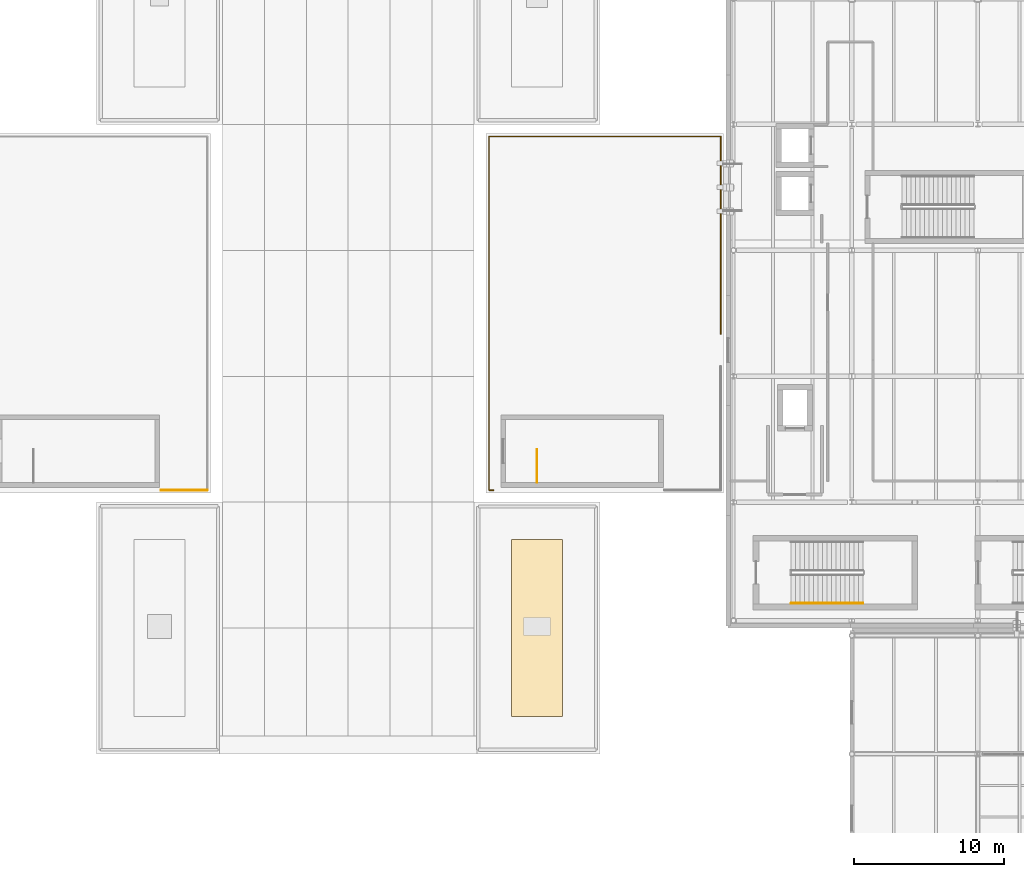
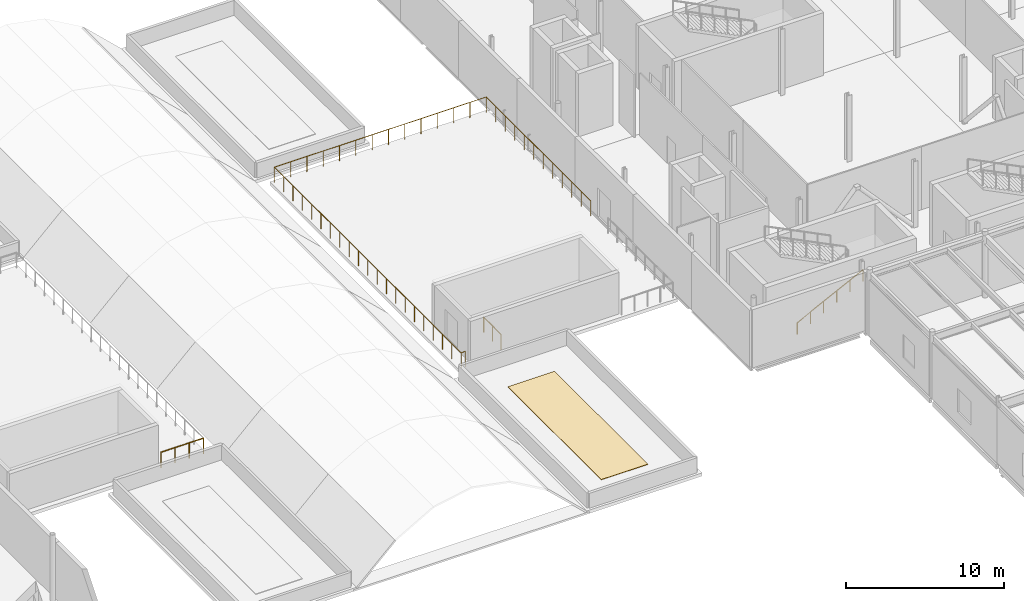
# One storey, part 83 of 91: 4 railings, 1 covering.
"""IFC4 building model written with IfcOpenShell, lengths in metres."""

from ifc_helpers import new_model, si_unit, direction, frame, origin, origin_2d, place, context, subcontext, project, spatial, polyline, circle, outline, extrude, material, layer, layer_set, type_object, element, save


model = new_model("IFC4")

# Units and contexts
model_context = context("Model", 3, precision=1e-05, world=origin(), true_north=direction((0.0, 1.0)))
body_context = subcontext(model_context, "Body", "Model", "MODEL_VIEW")
ifc_project = project(units=[si_unit("LENGTHUNIT", "METRE"), si_unit("AREAUNIT", "SQUARE_METRE"), si_unit("VOLUMEUNIT", "CUBIC_METRE"), si_unit("PLANEANGLEUNIT", "RADIAN"), si_unit("MASSUNIT", "GRAM", prefix="KILO"), si_unit("THERMODYNAMICTEMPERATUREUNIT", "KELVIN")], contexts=[model_context])

# Site, building, storey
site_placement = place(None, origin())
site = spatial("IfcSite", under=ifc_project, at=site_placement, CompositionType="ELEMENT")
building_placement = place(site_placement, origin())
building = spatial("IfcBuilding", under=site, at=building_placement, Name="Lustrewick Department Store", CompositionType="ELEMENT")
storey_placement = place(building_placement, frame((0.0, 0.0, 21.60009765625)))
storey = spatial("IfcBuildingStorey", under=building, at=storey_placement, Name="L05", CompositionType="ELEMENT", Elevation=21.60009765625)

# Covering
ifc_material_1 = material(Name="Single-ply TPO insulated roofing membrane", Category="plastic")
ifc_layer = layer(ifc_material_1, 0.034912109375, Name="Single-ply TPO insulated roofing membrane")
ifc_layer_set = layer_set([ifc_layer], Name="Single-ply TPO insulated roofing membrane")
covering_type = type_object("IfcCoveringType", Name="COV-ROOF", PredefinedType="ROOFING", material=ifc_layer_set)
covering_placement = place(storey_placement, origin())
element("IfcCovering", 1, at=covering_placement, inside=storey, type_object=covering_type, Name="L05 TPO Roof Membrane 04", PredefinedType="ROOFING", context=body_context, shape_type="SweptSolid", body=[
    extrude(outline(polyline([(98.300048828125, 56.300048828125), (94.89990234375, 56.300048828125), (94.89990234375, 44.5), (98.300048828125, 44.5), (98.300048828125, 56.300048828125)])), origin(), (0.0, 0.0, 1.0), 0.034912109375),
])

# Railings
ifc_material_2 = material(Name="Laminated glass and anodized aluminium guardrail", Category="aluminium")
railing_type_1 = type_object("IfcRailingType", Name="RL-EXT", PredefinedType="GUARDRAIL", material=ifc_material_2)
railing_1_placement = place(storey_placement, frame((93.699951171875, 59.60009765625, 0.0)))
element("IfcRailing", 2, at=railing_1_placement, inside=storey, type_object=railing_type_1, Name="L05 Terrace Perimeter Guardrail 0004", PredefinedType="GUARDRAIL", context=body_context, shape_type="SweptSolid", body=[
    extrude(circle(Radius=0.02392578125, at=origin_2d()), frame((0.0, 0.0, 1.17578125), z_axis=(-1.0, 0.0, 0.0), x_axis=(0.0, -1.0, 0.0)), (0.0, 0.0, 1.0), 0.300048828125),
    extrude(circle(Radius=0.02392578125, at=origin_2d()), frame((-0.300048828125, 0.0, 1.17578125), z_axis=(0.0, 1.0, 0.0), x_axis=(-1.0, 0.0, 0.0)), (0.0, 0.0, 1.0), 23.599853515625),
    extrude(circle(Radius=0.02392578125, at=origin_2d()), frame((-0.300048828125, 23.599853515625, 1.17578125), z_axis=(1.0, 0.0, 0.0), x_axis=(0.0, 1.0, 0.0)), (0.0, 0.0, 1.0), 15.4501953125),
    extrude(circle(Radius=0.02392578125, at=origin_2d()), frame((15.150146484375, 23.599853515625, 1.17578125), z_axis=(0.0, -1.0, 0.0), x_axis=(1.0, 0.0, 0.0)), (0.0, 0.0, 1.0), 13.185546875),
    extrude(circle(Radius=0.02099609375, at=origin_2d()), origin(), (0.0, 0.0, 1.0), 1.15185546875),
    extrude(circle(Radius=0.02099609375, at=origin_2d()), frame((-0.300048828125, 0.0, 0.0)), (0.0, 0.0, 1.0), 1.15185546875),
    extrude(circle(Radius=0.02099609375, at=origin_2d()), frame((-0.300048828125, 1.179931640625, 0.0)), (0.0, 0.0, 1.0), 1.15185546875),
    extrude(circle(Radius=0.02099609375, at=origin_2d()), frame((-0.300048828125, 2.35986328125, 0.0)), (0.0, 0.0, 1.0), 1.15185546875),
    extrude(circle(Radius=0.02099609375, at=origin_2d()), frame((-0.300048828125, 3.5400390625, 0.0)), (0.0, 0.0, 1.0), 1.15185546875),
    extrude(circle(Radius=0.02099609375, at=origin_2d()), frame((-0.300048828125, 4.719970703125, 0.0)), (0.0, 0.0, 1.0), 1.15185546875),
    extrude(circle(Radius=0.02099609375, at=origin_2d()), frame((-0.300048828125, 5.89990234375, 0.0)), (0.0, 0.0, 1.0), 1.15185546875),
    extrude(circle(Radius=0.02099609375, at=origin_2d()), frame((-0.300048828125, 7.080078125, 0.0)), (0.0, 0.0, 1.0), 1.15185546875),
    extrude(circle(Radius=0.02099609375, at=origin_2d()), frame((-0.300048828125, 8.260009765625, 0.0)), (0.0, 0.0, 1.0), 1.15185546875),
    extrude(circle(Radius=0.02099609375, at=origin_2d()), frame((-0.300048828125, 9.43994140625, 0.0)), (0.0, 0.0, 1.0), 1.15185546875),
    extrude(circle(Radius=0.02099609375, at=origin_2d()), frame((-0.300048828125, 10.619873046875, 0.0)), (0.0, 0.0, 1.0), 1.15185546875),
    extrude(circle(Radius=0.02099609375, at=origin_2d()), frame((-0.300048828125, 11.7998046875, 0.0)), (0.0, 0.0, 1.0), 1.15185546875),
    extrude(circle(Radius=0.02099609375, at=origin_2d()), frame((-0.300048828125, 12.97998046875, 0.0)), (0.0, 0.0, 1.0), 1.15185546875),
    extrude(circle(Radius=0.02099609375, at=origin_2d()), frame((-0.300048828125, 14.159912109375, 0.0)), (0.0, 0.0, 1.0), 1.15185546875),
    extrude(circle(Radius=0.02099609375, at=origin_2d()), frame((-0.300048828125, 15.33984375, 0.0)), (0.0, 0.0, 1.0), 1.15185546875),
    extrude(circle(Radius=0.02099609375, at=origin_2d()), frame((-0.300048828125, 16.52001953125, 0.0)), (0.0, 0.0, 1.0), 1.15185546875),
    extrude(circle(Radius=0.02099609375, at=origin_2d()), frame((-0.300048828125, 17.699951171875, 0.0)), (0.0, 0.0, 1.0), 1.15185546875),
    extrude(circle(Radius=0.02099609375, at=origin_2d()), frame((-0.300048828125, 18.8798828125, 0.0)), (0.0, 0.0, 1.0), 1.15185546875),
    extrude(circle(Radius=0.02099609375, at=origin_2d()), frame((-0.300048828125, 20.059814453125, 0.0)), (0.0, 0.0, 1.0), 1.15185546875),
    extrude(circle(Radius=0.02099609375, at=origin_2d()), frame((-0.300048828125, 21.23974609375, 0.0)), (0.0, 0.0, 1.0), 1.15185546875),
    extrude(circle(Radius=0.02099609375, at=origin_2d()), frame((-0.300048828125, 22.419921875, 0.0)), (0.0, 0.0, 1.0), 1.15185546875),
    extrude(circle(Radius=0.02099609375, at=origin_2d()), frame((-0.300048828125, 23.599853515625, 0.0)), (0.0, 0.0, 1.0), 1.15185546875),
    extrude(circle(Radius=0.02099609375, at=origin_2d()), frame((0.888427734375, 23.599853515625, 0.0)), (0.0, 0.0, 1.0), 1.15185546875),
    extrude(circle(Radius=0.02099609375, at=origin_2d()), frame((2.076904296875, 23.599853515625, 0.0)), (0.0, 0.0, 1.0), 1.15185546875),
    extrude(circle(Radius=0.02099609375, at=origin_2d()), frame((3.265380859375, 23.599853515625, 0.0)), (0.0, 0.0, 1.0), 1.15185546875),
    extrude(circle(Radius=0.02099609375, at=origin_2d()), frame((4.453857421875, 23.599853515625, 0.0)), (0.0, 0.0, 1.0), 1.15185546875),
    extrude(circle(Radius=0.02099609375, at=origin_2d()), frame((5.642333984375, 23.599853515625, 0.0)), (0.0, 0.0, 1.0), 1.15185546875),
    extrude(circle(Radius=0.02099609375, at=origin_2d()), frame((6.830810546875, 23.599853515625, 0.0)), (0.0, 0.0, 1.0), 1.15185546875),
    extrude(circle(Radius=0.02099609375, at=origin_2d()), frame((8.019287109375, 23.599853515625, 0.0)), (0.0, 0.0, 1.0), 1.15185546875),
    extrude(circle(Radius=0.02099609375, at=origin_2d()), frame((9.207763671875, 23.599853515625, 0.0)), (0.0, 0.0, 1.0), 1.15185546875),
    extrude(circle(Radius=0.02099609375, at=origin_2d()), frame((10.396240234375, 23.599853515625, 0.0)), (0.0, 0.0, 1.0), 1.15185546875),
    extrude(circle(Radius=0.02099609375, at=origin_2d()), frame((11.584716796875, 23.599853515625, 0.0)), (0.0, 0.0, 1.0), 1.15185546875),
    extrude(circle(Radius=0.02099609375, at=origin_2d()), frame((12.773193359375, 23.599853515625, 0.0)), (0.0, 0.0, 1.0), 1.15185546875),
    extrude(circle(Radius=0.02099609375, at=origin_2d()), frame((13.961669921875, 23.599853515625, 0.0)), (0.0, 0.0, 1.0), 1.15185546875),
    extrude(circle(Radius=0.02099609375, at=origin_2d()), frame((15.150146484375, 23.599853515625, 0.0)), (0.0, 0.0, 1.0), 1.15185546875),
    extrude(circle(Radius=0.02099609375, at=origin_2d()), frame((15.150146484375, 22.401123046875, 0.0)), (0.0, 0.0, 1.0), 1.15185546875),
    extrude(circle(Radius=0.02099609375, at=origin_2d()), frame((15.150146484375, 21.202392578125, 0.0)), (0.0, 0.0, 1.0), 1.15185546875),
    extrude(circle(Radius=0.02099609375, at=origin_2d()), frame((15.150146484375, 20.00390625, 0.0)), (0.0, 0.0, 1.0), 1.15185546875),
    extrude(circle(Radius=0.02099609375, at=origin_2d()), frame((15.150146484375, 18.80517578125, 0.0)), (0.0, 0.0, 1.0), 1.15185546875),
    extrude(circle(Radius=0.02099609375, at=origin_2d()), frame((15.150146484375, 17.6064453125, 0.0)), (0.0, 0.0, 1.0), 1.15185546875),
    extrude(circle(Radius=0.02099609375, at=origin_2d()), frame((15.150146484375, 16.40771484375, 0.0)), (0.0, 0.0, 1.0), 1.15185546875),
    extrude(circle(Radius=0.02099609375, at=origin_2d()), frame((15.150146484375, 15.208984375, 0.0)), (0.0, 0.0, 1.0), 1.15185546875),
    extrude(circle(Radius=0.02099609375, at=origin_2d()), frame((15.150146484375, 14.01025390625, 0.0)), (0.0, 0.0, 1.0), 1.15185546875),
    extrude(circle(Radius=0.02099609375, at=origin_2d()), frame((15.150146484375, 12.811767578125, 0.0)), (0.0, 0.0, 1.0), 1.15185546875),
    extrude(circle(Radius=0.02099609375, at=origin_2d()), frame((15.150146484375, 11.613037109375, 0.0)), (0.0, 0.0, 1.0), 1.15185546875),
    extrude(circle(Radius=0.02099609375, at=origin_2d()), frame((15.150146484375, 10.414306640625, 0.0)), (0.0, 0.0, 1.0), 1.15185546875),
])
railing_2_placement = place(storey_placement, frame((74.60009765625, 59.60009765625, 0.0)))
element("IfcRailing", 3, at=railing_2_placement, inside=storey, type_object=railing_type_1, Name="L05 Terrace Perimeter Guardrail 0006", PredefinedType="GUARDRAIL", context=body_context, shape_type="SweptSolid", body=[
    extrude(circle(Radius=0.02392578125, at=origin_2d()), frame((0.0, 0.0, 1.17578125), z_axis=(-1.0, 0.0, 0.0), x_axis=(0.0, -1.0, 0.0)), (0.0, 0.0, 1.0), 3.10009765625),
    extrude(circle(Radius=0.02099609375, at=origin_2d()), origin(), (0.0, 0.0, 1.0), 1.15185546875),
    extrude(circle(Radius=0.02099609375, at=origin_2d()), frame((-1.033447265625, 0.0, 0.0)), (0.0, 0.0, 1.0), 1.15185546875),
    extrude(circle(Radius=0.02099609375, at=origin_2d()), frame((-2.066650390625, 0.0, 0.0)), (0.0, 0.0, 1.0), 1.15185546875),
    extrude(circle(Radius=0.02099609375, at=origin_2d()), frame((-3.10009765625, 0.0, 0.0)), (0.0, 0.0, 1.0), 1.15185546875),
])
ifc_material_3 = material(Name="Painted tubular steel stairwell guardrail", Category="steel")
railing_type_2 = type_object("IfcRailingType", Name="RL-STG", PredefinedType="GUARDRAIL", material=ifc_material_3)
railing_3_placement = place(storey_placement, frame((96.60009765625, 60.10009765625, 0.0)))
element("IfcRailing", 4, at=railing_3_placement, inside=storey, type_object=railing_type_2, Name="L05 ST05 Top Well Guard 1", PredefinedType="GUARDRAIL", context=body_context, shape_type="SweptSolid", body=[
    extrude(circle(Radius=0.02392578125, at=origin_2d()), frame((0.0, 0.0, 1.17578125), z_axis=(0.0, 1.0, 0.0), x_axis=(-1.0, 0.0, 0.0)), (0.0, 0.0, 1.0), 2.199951171875),
    extrude(circle(Radius=0.02099609375, at=origin_2d()), origin(), (0.0, 0.0, 1.0), 1.15185546875),
    extrude(circle(Radius=0.02099609375, at=origin_2d()), frame((0.0, 1.10009765625, 0.0)), (0.0, 0.0, 1.0), 1.15185546875),
    extrude(circle(Radius=0.02099609375, at=origin_2d()), frame((0.0, 2.199951171875, 0.0)), (0.0, 0.0, 1.0), 1.15185546875),
])
ifc_material_4 = material(Name="Brushed stainless steel wall handrail", Category="steel")
railing_type_3 = type_object("IfcRailingType", Name="RL-STH", PredefinedType="HANDRAIL", material=ifc_material_4)
railing_4_placement = place(storey_placement, frame((113.550048828125, 52.050048828125, 0.14990234375)))
element("IfcRailing", 5, at=railing_4_placement, inside=storey, type_object=railing_type_3, Name="L05 ST09 Stair Handrail 1", PredefinedType="HANDRAIL", context=body_context, shape_type="SweptSolid", body=[
    extrude(circle(Radius=0.02392578125, at=origin_2d()), frame((0.0, 0.0, 0.8759765625), z_axis=(0.894436289399, 0.0, 0.44719539824), x_axis=(0.0, 1.0, 0.0)), (0.0, 0.0, 1.0), 5.366455078125),
    extrude(circle(Radius=0.02099609375, at=origin_2d()), origin(), (0.0, 0.0, 1.0), 0.851806640625),
    extrude(circle(Radius=0.02099609375, at=origin_2d()), frame((0.9599609375, 0.0, 0.47998046875)), (0.0, 0.0, 1.0), 0.851806640625),
    extrude(circle(Radius=0.02099609375, at=origin_2d()), frame((1.919921875, 0.0, 0.9599609375)), (0.0, 0.0, 1.0), 0.851806640625),
    extrude(circle(Radius=0.02099609375, at=origin_2d()), frame((2.880126953125, 0.0, 1.43994140625)), (0.0, 0.0, 1.0), 0.851806640625),
    extrude(circle(Radius=0.02099609375, at=origin_2d()), frame((3.840087890625, 0.0, 1.919921875)), (0.0, 0.0, 1.0), 0.851806640625),
    extrude(circle(Radius=0.02099609375, at=origin_2d()), frame((4.800048828125, 0.0, 2.39990234375)), (0.0, 0.0, 1.0), 0.851806640625),
])

save(model, "model.ifc")
